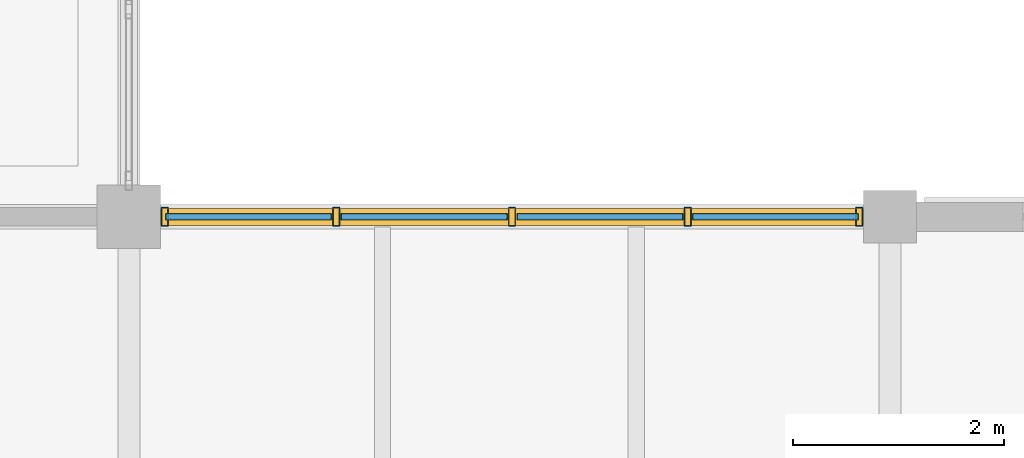
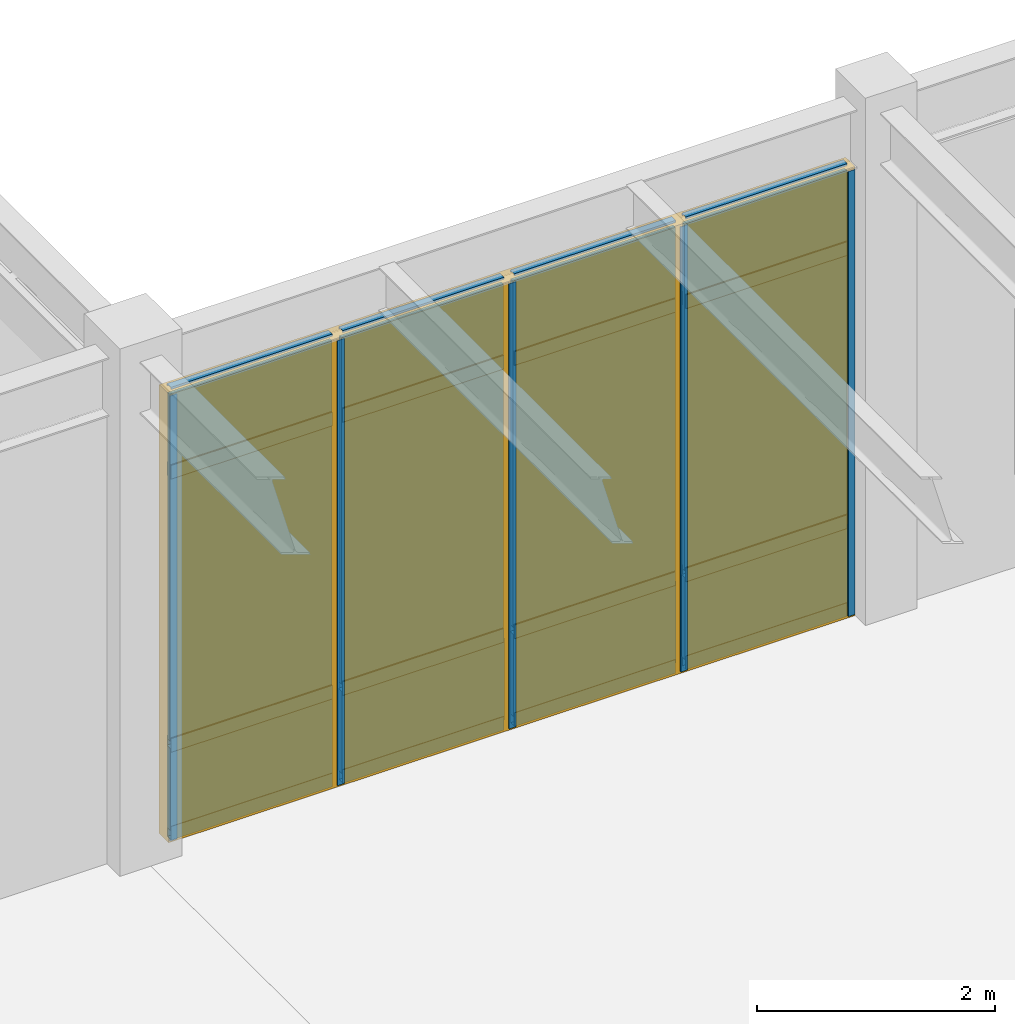
# One storey, part 71 of 97: 21 members, 8 plates, 1 curtain wall.
"""IFC4 building model written with IfcOpenShell, lengths in metres."""

from ifc_helpers import new_model, si_unit, direction, frame, origin, origin_2d, place, context, subcontext, project, spatial, rectangle, hollow_rectangle, extrude, material, layer, layer_set, material_profile, profile_set, type_object, element, aggregate, save


model = new_model("IFC4")

# Units and contexts
model_context = context("Model", 3, precision=1e-05, world=origin(), true_north=direction((0.0, 1.0)))
body_context = subcontext(model_context, "Body", "Model", "MODEL_VIEW")
ifc_project = project(units=[si_unit("LENGTHUNIT", "METRE"), si_unit("AREAUNIT", "SQUARE_METRE"), si_unit("VOLUMEUNIT", "CUBIC_METRE"), si_unit("PLANEANGLEUNIT", "RADIAN"), si_unit("MASSUNIT", "GRAM", prefix="KILO")], contexts=[model_context])

# Member
ifc_material_1 = material(Name="Anodized Aluminium 6063-T6", Category="aluminium")
ifc_material_profile_1 = material_profile(ifc_material_1, hollow_rectangle(XDim=0.06494140625, YDim=0.179931640625, WallThickness=0.00390625, at=origin_2d()), Name="ALU 65x180x4")
ifc_profile_set_1 = profile_set([ifc_material_profile_1], Name="Anodized Aluminium 6063-T6")
member_type_1 = type_object("IfcMemberType", Name="CWM-65X150", PredefinedType="MULLION", material=ifc_profile_set_1)
site_placement = place(None, origin())
building_placement = place(site_placement, origin())
storey_placement = place(building_placement, origin())
member_1_placement = place(storey_placement, frame((115.5400390625, 93.60009765625, 0.02001953125), z_axis=(0.0, 0.0, 1.0), x_axis=(1.0, 0.0, 0.0)))
member_1 = element("IfcMember", 1, at=member_1_placement, type_object=member_type_1, Name="Curtain wall mullion CW-L01-16-12-N-00", PredefinedType="MULLION", context=body_context, shape_type="SweptSolid", body=[
    extrude(hollow_rectangle(XDim=0.06494140625, YDim=0.179931640625, WallThickness=0.00390625, at=origin_2d()), origin(), (0.0, 0.0, 1.0), 4.557861328125),
])

member_2_placement = place(storey_placement, frame((117.16259765625, 93.60009765625, 0.02001953125), z_axis=(0.0, 0.0, 1.0), x_axis=(1.0, 0.0, 0.0)))
member_2 = element("IfcMember", 2, at=member_2_placement, type_object=member_type_1, Name="Curtain wall mullion CW-L01-16-12-N-01", PredefinedType="MULLION", context=body_context, shape_type="SweptSolid", body=[
    extrude(hollow_rectangle(XDim=0.06494140625, YDim=0.179931640625, WallThickness=0.00390625, at=origin_2d()), origin(), (0.0, 0.0, 1.0), 4.557861328125),
])

member_3_placement = place(storey_placement, frame((118.824951171875, 93.60009765625, 0.02001953125), z_axis=(0.0, 0.0, 1.0), x_axis=(1.0, 0.0, 0.0)))
member_3 = element("IfcMember", 3, at=member_3_placement, type_object=member_type_1, Name="Curtain wall mullion CW-L01-16-12-N-02", PredefinedType="MULLION", context=body_context, shape_type="SweptSolid", body=[
    extrude(hollow_rectangle(XDim=0.06494140625, YDim=0.179931640625, WallThickness=0.00390625, at=origin_2d()), origin(), (0.0, 0.0, 1.0), 4.557861328125),
])

member_4_placement = place(storey_placement, frame((120.487548828125, 93.60009765625, 0.02001953125), z_axis=(0.0, 0.0, 1.0), x_axis=(1.0, 0.0, 0.0)))
member_4 = element("IfcMember", 4, at=member_4_placement, type_object=member_type_1, Name="Curtain wall mullion CW-L01-16-12-N-03", PredefinedType="MULLION", context=body_context, shape_type="SweptSolid", body=[
    extrude(hollow_rectangle(XDim=0.06494140625, YDim=0.179931640625, WallThickness=0.00390625, at=origin_2d()), origin(), (0.0, 0.0, 1.0), 4.557861328125),
])

member_5_placement = place(storey_placement, frame((122.110107421875, 93.60009765625, 0.02001953125), z_axis=(0.0, 0.0, 1.0), x_axis=(1.0, 0.0, 0.0)))
member_5 = element("IfcMember", 5, at=member_5_placement, type_object=member_type_1, Name="Curtain wall mullion CW-L01-16-12-N-04", PredefinedType="MULLION", context=body_context, shape_type="SweptSolid", body=[
    extrude(hollow_rectangle(XDim=0.06494140625, YDim=0.179931640625, WallThickness=0.00390625, at=origin_2d()), origin(), (0.0, 0.0, 1.0), 4.557861328125),
])

ifc_material_profile_2 = material_profile(ifc_material_1, hollow_rectangle(XDim=0.06494140625, YDim=0.139892578125, WallThickness=0.00390625, at=origin_2d()), Name="ALU 65x140x4")
ifc_profile_set_2 = profile_set([ifc_material_profile_2], Name="Anodized Aluminium 6063-T6")
member_type_2 = type_object("IfcMemberType", Name="CWT-65X120", PredefinedType="USERDEFINED", material=ifc_profile_set_2)
member_6_placement = place(storey_placement, frame((115.550048828125, 93.60009765625, 0.050048828125), z_axis=(1.0, 0.0, 0.0), x_axis=(0.0, 1.0, 0.0)))
member_6 = element("IfcMember", 6, at=member_6_placement, type_object=member_type_2, Name="Curtain wall transom CW-L01-16-12-N-1.01", ObjectType="TRANSOM", PredefinedType="USERDEFINED", context=body_context, shape_type="SweptSolid", body=[
    extrude(hollow_rectangle(XDim=0.06494140625, YDim=0.139892578125, WallThickness=0.00390625, at=origin_2d()), origin(), (0.0, 0.0, 1.0), 1.5625),
])

member_7_placement = place(storey_placement, frame((117.21240234375, 93.60009765625, 0.050048828125), z_axis=(1.0, 0.0, 0.0), x_axis=(0.0, 1.0, 0.0)))
member_7 = element("IfcMember", 7, at=member_7_placement, type_object=member_type_2, Name="Curtain wall transom CW-L01-16-12-N-1.02", ObjectType="TRANSOM", PredefinedType="USERDEFINED", context=body_context, shape_type="SweptSolid", body=[
    extrude(hollow_rectangle(XDim=0.06494140625, YDim=0.139892578125, WallThickness=0.00390625, at=origin_2d()), origin(), (0.0, 0.0, 1.0), 1.5625),
])

member_8_placement = place(storey_placement, frame((118.875, 93.60009765625, 0.050048828125), z_axis=(1.0, 0.0, 0.0), x_axis=(0.0, 1.0, 0.0)))
member_8 = element("IfcMember", 8, at=member_8_placement, type_object=member_type_2, Name="Curtain wall transom CW-L01-16-12-N-1.03", ObjectType="TRANSOM", PredefinedType="USERDEFINED", context=body_context, shape_type="SweptSolid", body=[
    extrude(hollow_rectangle(XDim=0.06494140625, YDim=0.139892578125, WallThickness=0.00390625, at=origin_2d()), origin(), (0.0, 0.0, 1.0), 1.5625),
])

member_9_placement = place(storey_placement, frame((120.53759765625, 93.60009765625, 0.050048828125), z_axis=(1.0, 0.0, 0.0), x_axis=(0.0, 1.0, 0.0)))
member_9 = element("IfcMember", 9, at=member_9_placement, type_object=member_type_2, Name="Curtain wall transom CW-L01-16-12-N-1.04", ObjectType="TRANSOM", PredefinedType="USERDEFINED", context=body_context, shape_type="SweptSolid", body=[
    extrude(hollow_rectangle(XDim=0.06494140625, YDim=0.139892578125, WallThickness=0.00390625, at=origin_2d()), origin(), (0.0, 0.0, 1.0), 1.5625),
])

member_10_placement = place(storey_placement, frame((115.550048828125, 93.60009765625, 0.949951171875), z_axis=(1.0, 0.0, 0.0), x_axis=(0.0, 1.0, 0.0)))
member_10 = element("IfcMember", 10, at=member_10_placement, type_object=member_type_2, Name="Curtain wall transom CW-L01-16-12-N-2.01", ObjectType="TRANSOM", PredefinedType="USERDEFINED", context=body_context, shape_type="SweptSolid", body=[
    extrude(hollow_rectangle(XDim=0.06494140625, YDim=0.139892578125, WallThickness=0.00390625, at=origin_2d()), origin(), (0.0, 0.0, 1.0), 1.5625),
])

member_11_placement = place(storey_placement, frame((117.21240234375, 93.60009765625, 0.949951171875), z_axis=(1.0, 0.0, 0.0), x_axis=(0.0, 1.0, 0.0)))
member_11 = element("IfcMember", 11, at=member_11_placement, type_object=member_type_2, Name="Curtain wall transom CW-L01-16-12-N-2.02", ObjectType="TRANSOM", PredefinedType="USERDEFINED", context=body_context, shape_type="SweptSolid", body=[
    extrude(hollow_rectangle(XDim=0.06494140625, YDim=0.139892578125, WallThickness=0.00390625, at=origin_2d()), origin(), (0.0, 0.0, 1.0), 1.5625),
])

member_12_placement = place(storey_placement, frame((118.875, 93.60009765625, 0.949951171875), z_axis=(1.0, 0.0, 0.0), x_axis=(0.0, 1.0, 0.0)))
member_12 = element("IfcMember", 12, at=member_12_placement, type_object=member_type_2, Name="Curtain wall transom CW-L01-16-12-N-2.03", ObjectType="TRANSOM", PredefinedType="USERDEFINED", context=body_context, shape_type="SweptSolid", body=[
    extrude(hollow_rectangle(XDim=0.06494140625, YDim=0.139892578125, WallThickness=0.00390625, at=origin_2d()), origin(), (0.0, 0.0, 1.0), 1.5625),
])

member_13_placement = place(storey_placement, frame((120.53759765625, 93.60009765625, 0.949951171875), z_axis=(1.0, 0.0, 0.0), x_axis=(0.0, 1.0, 0.0)))
member_13 = element("IfcMember", 13, at=member_13_placement, type_object=member_type_2, Name="Curtain wall transom CW-L01-16-12-N-2.04", ObjectType="TRANSOM", PredefinedType="USERDEFINED", context=body_context, shape_type="SweptSolid", body=[
    extrude(hollow_rectangle(XDim=0.06494140625, YDim=0.139892578125, WallThickness=0.00390625, at=origin_2d()), origin(), (0.0, 0.0, 1.0), 1.5625),
])

member_14_placement = place(storey_placement, frame((115.550048828125, 93.60009765625, 3.748046875), z_axis=(1.0, 0.0, 0.0), x_axis=(0.0, 1.0, 0.0)))
member_14 = element("IfcMember", 14, at=member_14_placement, type_object=member_type_2, Name="Curtain wall transom CW-L01-16-12-N-3.01", ObjectType="TRANSOM", PredefinedType="USERDEFINED", context=body_context, shape_type="SweptSolid", body=[
    extrude(hollow_rectangle(XDim=0.06494140625, YDim=0.139892578125, WallThickness=0.00390625, at=origin_2d()), origin(), (0.0, 0.0, 1.0), 1.5625),
])

member_15_placement = place(storey_placement, frame((117.21240234375, 93.60009765625, 3.748046875), z_axis=(1.0, 0.0, 0.0), x_axis=(0.0, 1.0, 0.0)))
member_15 = element("IfcMember", 15, at=member_15_placement, type_object=member_type_2, Name="Curtain wall transom CW-L01-16-12-N-3.02", ObjectType="TRANSOM", PredefinedType="USERDEFINED", context=body_context, shape_type="SweptSolid", body=[
    extrude(hollow_rectangle(XDim=0.06494140625, YDim=0.139892578125, WallThickness=0.00390625, at=origin_2d()), origin(), (0.0, 0.0, 1.0), 1.5625),
])

member_16_placement = place(storey_placement, frame((118.875, 93.60009765625, 3.748046875), z_axis=(1.0, 0.0, 0.0), x_axis=(0.0, 1.0, 0.0)))
member_16 = element("IfcMember", 16, at=member_16_placement, type_object=member_type_2, Name="Curtain wall transom CW-L01-16-12-N-3.03", ObjectType="TRANSOM", PredefinedType="USERDEFINED", context=body_context, shape_type="SweptSolid", body=[
    extrude(hollow_rectangle(XDim=0.06494140625, YDim=0.139892578125, WallThickness=0.00390625, at=origin_2d()), origin(), (0.0, 0.0, 1.0), 1.5625),
])

member_17_placement = place(storey_placement, frame((120.53759765625, 93.60009765625, 3.748046875), z_axis=(1.0, 0.0, 0.0), x_axis=(0.0, 1.0, 0.0)))
member_17 = element("IfcMember", 17, at=member_17_placement, type_object=member_type_2, Name="Curtain wall transom CW-L01-16-12-N-3.04", ObjectType="TRANSOM", PredefinedType="USERDEFINED", context=body_context, shape_type="SweptSolid", body=[
    extrude(hollow_rectangle(XDim=0.06494140625, YDim=0.139892578125, WallThickness=0.00390625, at=origin_2d()), origin(), (0.0, 0.0, 1.0), 1.5625),
])

member_18_placement = place(storey_placement, frame((115.550048828125, 93.60009765625, 4.548095703125), z_axis=(1.0, 0.0, 0.0), x_axis=(0.0, 1.0, 0.0)))
member_18 = element("IfcMember", 18, at=member_18_placement, type_object=member_type_2, Name="Curtain wall transom CW-L01-16-12-N-4.01", ObjectType="TRANSOM", PredefinedType="USERDEFINED", context=body_context, shape_type="SweptSolid", body=[
    extrude(hollow_rectangle(XDim=0.06494140625, YDim=0.139892578125, WallThickness=0.00390625, at=origin_2d()), origin(), (0.0, 0.0, 1.0), 1.5625),
])

member_19_placement = place(storey_placement, frame((117.21240234375, 93.60009765625, 4.548095703125), z_axis=(1.0, 0.0, 0.0), x_axis=(0.0, 1.0, 0.0)))
member_19 = element("IfcMember", 19, at=member_19_placement, type_object=member_type_2, Name="Curtain wall transom CW-L01-16-12-N-4.02", ObjectType="TRANSOM", PredefinedType="USERDEFINED", context=body_context, shape_type="SweptSolid", body=[
    extrude(hollow_rectangle(XDim=0.06494140625, YDim=0.139892578125, WallThickness=0.00390625, at=origin_2d()), origin(), (0.0, 0.0, 1.0), 1.5625),
])

member_20_placement = place(storey_placement, frame((118.875, 93.60009765625, 4.548095703125), z_axis=(1.0, 0.0, 0.0), x_axis=(0.0, 1.0, 0.0)))
member_20 = element("IfcMember", 20, at=member_20_placement, type_object=member_type_2, Name="Curtain wall transom CW-L01-16-12-N-4.03", ObjectType="TRANSOM", PredefinedType="USERDEFINED", context=body_context, shape_type="SweptSolid", body=[
    extrude(hollow_rectangle(XDim=0.06494140625, YDim=0.139892578125, WallThickness=0.00390625, at=origin_2d()), origin(), (0.0, 0.0, 1.0), 1.5625),
])

member_21_placement = place(storey_placement, frame((120.53759765625, 93.60009765625, 4.548095703125), z_axis=(1.0, 0.0, 0.0), x_axis=(0.0, 1.0, 0.0)))
member_21 = element("IfcMember", 21, at=member_21_placement, type_object=member_type_2, Name="Curtain wall transom CW-L01-16-12-N-4.04", ObjectType="TRANSOM", PredefinedType="USERDEFINED", context=body_context, shape_type="SweptSolid", body=[
    extrude(hollow_rectangle(XDim=0.06494140625, YDim=0.139892578125, WallThickness=0.00390625, at=origin_2d()), origin(), (0.0, 0.0, 1.0), 1.5625),
])

# Plate
ifc_material_2 = material(Name="Double Low-E Insulated Glazing Unit", Category="glass")
ifc_layer_1 = layer(ifc_material_2, 0.0380859375)
ifc_layer_set_1 = layer_set([ifc_layer_1], Name="Double Low-E Insulated Glazing Unit")
plate_type_1 = type_object("IfcPlateType", Name="CWP-IGU-38", PredefinedType="CURTAIN_PANEL", material=ifc_layer_set_1)
plate_1_placement = place(storey_placement, frame((116.331298828125, 93.60009765625, 0.98974609375), z_axis=(0.0, 0.0, 1.0), x_axis=(1.0, 0.0, 0.0)))
plate_1 = element("IfcPlate", 22, at=plate_1_placement, type_object=plate_type_1, Name="Curtain wall vision glazing CW-L01-16-12-N-01", PredefinedType="CURTAIN_PANEL", context=body_context, shape_type="SweptSolid", body=[
    extrude(rectangle(XDim=1.572509765625, YDim=0.0400390625, at=origin_2d()), origin(), (0.0, 0.0, 1.0), 3.548095703125),
])

plate_2_placement = place(storey_placement, frame((117.993896484375, 93.60009765625, 0.98974609375), z_axis=(0.0, 0.0, 1.0), x_axis=(1.0, 0.0, 0.0)))
plate_2 = element("IfcPlate", 23, at=plate_2_placement, type_object=plate_type_1, Name="Curtain wall vision glazing CW-L01-16-12-N-02", PredefinedType="CURTAIN_PANEL", context=body_context, shape_type="SweptSolid", body=[
    extrude(rectangle(XDim=1.572509765625, YDim=0.0400390625, at=origin_2d()), origin(), (0.0, 0.0, 1.0), 3.548095703125),
])

plate_3_placement = place(storey_placement, frame((119.65625, 93.60009765625, 0.98974609375), z_axis=(0.0, 0.0, 1.0), x_axis=(1.0, 0.0, 0.0)))
plate_3 = element("IfcPlate", 24, at=plate_3_placement, type_object=plate_type_1, Name="Curtain wall vision glazing CW-L01-16-12-N-03", PredefinedType="CURTAIN_PANEL", context=body_context, shape_type="SweptSolid", body=[
    extrude(rectangle(XDim=1.572509765625, YDim=0.0400390625, at=origin_2d()), origin(), (0.0, 0.0, 1.0), 3.548095703125),
])

plate_4_placement = place(storey_placement, frame((121.31884765625, 93.60009765625, 0.98974609375), z_axis=(0.0, 0.0, 1.0), x_axis=(1.0, 0.0, 0.0)))
plate_4 = element("IfcPlate", 25, at=plate_4_placement, type_object=plate_type_1, Name="Curtain wall vision glazing CW-L01-16-12-N-04", PredefinedType="CURTAIN_PANEL", context=body_context, shape_type="SweptSolid", body=[
    extrude(rectangle(XDim=1.572509765625, YDim=0.0400390625, at=origin_2d()), origin(), (0.0, 0.0, 1.0), 3.548095703125),
])

ifc_material_3 = material(Name="Insulated Bronze Aluminium Spandrel", Category="aluminium")
ifc_layer_2 = layer(ifc_material_3, 0.06005859375)
ifc_layer_set_2 = layer_set([ifc_layer_2], Name="Insulated Bronze Aluminium Spandrel")
plate_type_2 = type_object("IfcPlateType", Name="CWP-SPN-60", PredefinedType="CURTAIN_PANEL", material=ifc_layer_set_2)
plate_5_placement = place(storey_placement, frame((116.331298828125, 93.60009765625, 0.080078125), z_axis=(0.0, 0.0, 1.0), x_axis=(1.0, 0.0, 0.0)))
plate_5 = element("IfcPlate", 26, at=plate_5_placement, type_object=plate_type_2, Name="Curtain wall spandrel panel CW-L01-16-12-N-01", PredefinedType="CURTAIN_PANEL", context=body_context, shape_type="SweptSolid", body=[
    extrude(rectangle(XDim=1.572509765625, YDim=0.06005859375, at=origin_2d()), origin(), (0.0, 0.0, 1.0), 0.840087890625),
])

plate_6_placement = place(storey_placement, frame((117.993896484375, 93.60009765625, 0.080078125), z_axis=(0.0, 0.0, 1.0), x_axis=(1.0, 0.0, 0.0)))
plate_6 = element("IfcPlate", 27, at=plate_6_placement, type_object=plate_type_2, Name="Curtain wall spandrel panel CW-L01-16-12-N-02", PredefinedType="CURTAIN_PANEL", context=body_context, shape_type="SweptSolid", body=[
    extrude(rectangle(XDim=1.572509765625, YDim=0.06005859375, at=origin_2d()), origin(), (0.0, 0.0, 1.0), 0.840087890625),
])

plate_7_placement = place(storey_placement, frame((119.65625, 93.60009765625, 0.080078125), z_axis=(0.0, 0.0, 1.0), x_axis=(1.0, 0.0, 0.0)))
plate_7 = element("IfcPlate", 28, at=plate_7_placement, type_object=plate_type_2, Name="Curtain wall spandrel panel CW-L01-16-12-N-03", PredefinedType="CURTAIN_PANEL", context=body_context, shape_type="SweptSolid", body=[
    extrude(rectangle(XDim=1.572509765625, YDim=0.06005859375, at=origin_2d()), origin(), (0.0, 0.0, 1.0), 0.840087890625),
])

plate_8_placement = place(storey_placement, frame((121.31884765625, 93.60009765625, 0.080078125), z_axis=(0.0, 0.0, 1.0), x_axis=(1.0, 0.0, 0.0)))
plate_8 = element("IfcPlate", 29, at=plate_8_placement, type_object=plate_type_2, Name="Curtain wall spandrel panel CW-L01-16-12-N-04", PredefinedType="CURTAIN_PANEL", context=body_context, shape_type="SweptSolid", body=[
    extrude(rectangle(XDim=1.572509765625, YDim=0.06005859375, at=origin_2d()), origin(), (0.0, 0.0, 1.0), 0.840087890625),
])

# Site, building, storey
site = spatial("IfcSite", under=ifc_project, at=site_placement, CompositionType="ELEMENT")
building = spatial("IfcBuilding", under=site, at=building_placement, Name="Sillqori Civic Hall", CompositionType="ELEMENT")
storey = spatial("IfcBuildingStorey", under=building, at=storey_placement, Name="L01", CompositionType="ELEMENT", Elevation=0.0)

# Curtain wall
ifc_material_4 = material(Name="Anodized Aluminium Curtain Wall System", Category="aluminium")
curtain_wall_type = type_object("IfcCurtainWallType", Name="CW-SF-540", PredefinedType="NOTDEFINED", material=ifc_material_4)
curtain_wall_placement = place(storey_placement, frame((118.824951171875, 93.60009765625, 0.0), z_axis=(0.0, 0.0, 1.0), x_axis=(1.0, 0.0, 0.0)))
curtain_wall = element("IfcCurtainWall", 30, at=curtain_wall_placement, inside=storey, type_object=curtain_wall_type, Name="L01 unitised curtain wall CW-L01-16-12-N", PredefinedType="NOTDEFINED", context=body_context, shape_type="SweptSolid", body=[
    extrude(rectangle(XDim=6.64990234375, YDim=0.159912109375, at=origin_2d()), origin(), (0.0, 0.0, 1.0), 4.597900390625),
])

aggregate(curtain_wall, [member_1, member_2, member_3, member_4, member_5, member_6, member_7, member_8, member_9, member_10, member_11, member_12, member_13, member_14, member_15, member_16, member_17, member_18, member_19, member_20, member_21, plate_5, plate_1, plate_6, plate_2, plate_7, plate_3, plate_8, plate_4])

save(model, "model.ifc")
